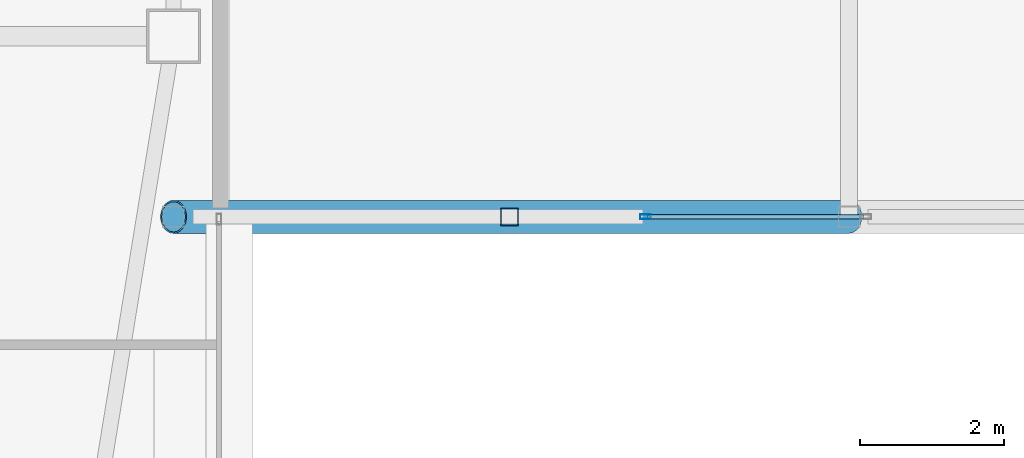
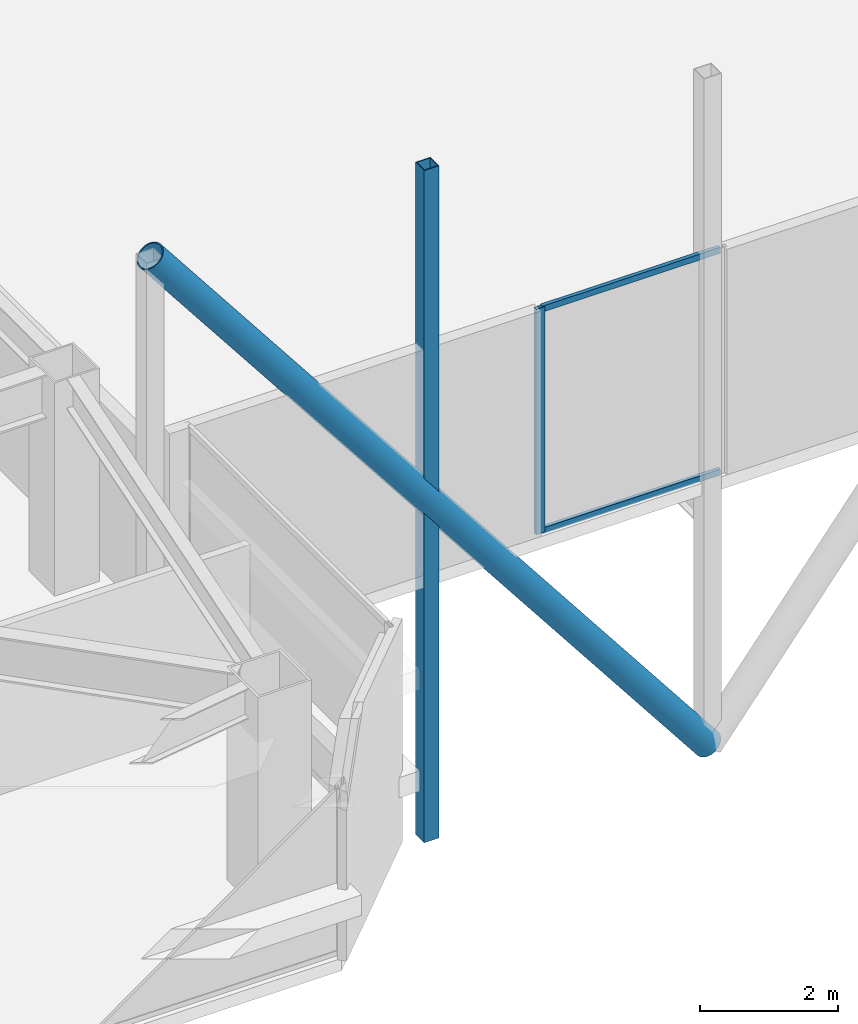
# One storey, part 14 of 53: 5 members, 1 element without a shape of its own.
"""IFC4 building model written with IfcOpenShell, lengths in metres."""

import ifcopenshell
import ifcopenshell.guid

model = None  # the IFC model being written
_history = None  # IfcOwnerHistory: only IFC2X3 demands one
_inside = {}  # id of a spatial element -> (the spatial element, [elements in it])
_under = {}  # id of a project, library or spatial element -> (it, [spatial elements below it])
_declared = {}  # id of a project -> (the project, [libraries it declares])
_typed = {}  # id of a type object -> (the type object, [elements of that type])
_made_of = {}  # id of a material, layer set ... -> (it, [elements and type objects made of it])


def new_model(schema):
    """Start an empty IFC model of exactly this schema.

    Asked for "IFC4X3", IfcOpenShell would pick the latest addendum, in which some entities
    have other attributes; the version numbers below select the first issue.
    IFC2X3 requires an IfcOwnerHistory on every rooted entity: one is made here for all.
    """
    global model, _history
    if schema == "IFC4X3":
        model = ifcopenshell.file(schema_version=(4, 3, 0, 0))
    else:
        model = ifcopenshell.file(schema=schema)
    _inside.clear()
    _under.clear()
    _declared.clear()
    _typed.clear()
    _made_of.clear()
    _history = None
    if model.schema == "IFC2X3":
        org = make("IfcOrganization", Name="unknown")
        user = make(
            "IfcPersonAndOrganization",
            ThePerson=make("IfcPerson", FamilyName="unknown"),
            TheOrganization=org,
        )
        app = make(
            "IfcApplication",
            ApplicationDeveloper=org,
            Version="unknown",
            ApplicationFullName="unknown",
            ApplicationIdentifier="unknown",
        )
        _history = make(
            "IfcOwnerHistory",
            OwningUser=user,
            OwningApplication=app,
            ChangeAction="ADDED",
            CreationDate=0,
        )
    return model


def make(cls, **values):
    """One entity of the class cls with the attributes given. An attribute that is None is left unset."""
    return model.create_entity(
        cls, **{name: value for name, value in values.items() if value is not None}
    )


def rooted(cls, **values):
    """An entity with a GlobalId (a new one), such as an element, a storey or a relation."""
    return make(cls, GlobalId=ifcopenshell.guid.new(), OwnerHistory=_history, **values)


def si_unit(unit_type, name, prefix=None):
    """IfcSIUnit, for example si_unit("LENGTHUNIT", "METRE", prefix="MILLI")."""
    return make("IfcSIUnit", UnitType=unit_type, Prefix=prefix, Name=name)


def assignment(units):
    """IfcUnitAssignment: the units of a project."""
    return None if units is None else make("IfcUnitAssignment", Units=units)


def point(xyz):
    """IfcCartesianPoint."""
    return None if xyz is None else make("IfcCartesianPoint", Coordinates=xyz)


def direction(xyz):
    """IfcDirection."""
    return None if xyz is None else make("IfcDirection", DirectionRatios=xyz)


def frame(location, z_axis=None, x_axis=None):
    """IfcAxis2Placement3D, a coordinate frame: its origin and axes. An axis left out is left unset."""
    return make(
        "IfcAxis2Placement3D",
        Location=point(location),
        Axis=direction(z_axis),
        RefDirection=direction(x_axis),
    )


def frame_2d(location, x_axis=None):
    """IfcAxis2Placement2D, a coordinate frame in the plane: its origin and x axis."""
    return make(
        "IfcAxis2Placement2D", Location=point(location), RefDirection=direction(x_axis)
    )


def origin():
    """The frame at (0, 0, 0) with its axes left unset."""
    return frame((0.0, 0.0, 0.0))


def origin_2d():
    """The frame at (0, 0) in the plane with its x axis left unset."""
    return frame_2d((0.0, 0.0))


def place(relative_to, where):
    """IfcLocalPlacement: puts the frame where relative to a parent placement (None: the world)."""
    return make(
        "IfcLocalPlacement", PlacementRelTo=relative_to, RelativePlacement=where
    )


def context(
    kind, dimensions, precision=None, world=None, true_north=None, identifier=None
):
    """IfcGeometricRepresentationContext, for example the 3D "Model" context."""
    return make(
        "IfcGeometricRepresentationContext",
        ContextIdentifier=identifier,
        ContextType=kind,
        CoordinateSpaceDimension=dimensions,
        Precision=precision,
        WorldCoordinateSystem=world,
        TrueNorth=true_north,
    )


def subcontext(parent, identifier, kind, view, scale=None):
    """IfcGeometricRepresentationSubContext, for example "Body" below "Model"."""
    return make(
        "IfcGeometricRepresentationSubContext",
        ContextIdentifier=identifier,
        ContextType=kind,
        ParentContext=parent,
        TargetScale=scale,
        TargetView=view,
    )


def project(units=None, contexts=None):
    """IfcProject with its units and contexts."""
    return rooted(
        "IfcProject",
        Name="project",
        RepresentationContexts=contexts,
        UnitsInContext=assignment(units),
    )


def spatial(cls, under=None, at=None, **own):
    """A site, building, storey or space (cls), placed at a placement, below another one or the project."""
    s = rooted(cls, ObjectPlacement=at, **own)
    if under is not None:
        _under.setdefault(under.id(), (under, []))[1].append(s)
    return s


def profile(cls, at=None, kind="AREA", **sizes):
    """A parametric profile (cls). Its sizes go by their IFC names, for example OverallWidth=200.0."""
    return make(cls, ProfileType=kind, Position=at, **sizes)


def hollow_rectangle(**sizes):
    """IfcRectangleHollowProfileDef."""
    return profile("IfcRectangleHollowProfileDef", **sizes)


def hollow_circle(**sizes):
    """IfcCircleHollowProfileDef."""
    return profile("IfcCircleHollowProfileDef", **sizes)


def extrude(swept, where, along, depth):
    """IfcExtrudedAreaSolid: the profile swept, set in the frame where, extruded along a direction by depth."""
    return make(
        "IfcExtrudedAreaSolid",
        SweptArea=swept,
        Position=where,
        ExtrudedDirection=direction(along),
        Depth=depth,
    )


def shape(context_of_items, identifier, shape_type, items):
    """IfcShapeRepresentation: the items that make up one representation, for example the "Body"."""
    return make(
        "IfcShapeRepresentation",
        ContextOfItems=context_of_items,
        RepresentationIdentifier=identifier,
        RepresentationType=shape_type,
        Items=items,
    )


def material(Name=None, Category=None):
    """IfcMaterial."""
    return make("IfcMaterial", Name=Name, Category=Category)


def material_profile(
    of_material, cross_section, Name=None, Category=None, Priority=None
):
    """IfcMaterialProfile: a cross section and its material."""
    return make(
        "IfcMaterialProfile",
        Name=Name,
        Material=of_material,
        Profile=cross_section,
        Priority=Priority,
        Category=Category,
    )


def profile_set(profiles, Name=None, composite=None):
    """IfcMaterialProfileSet."""
    return make(
        "IfcMaterialProfileSet",
        Name=Name,
        MaterialProfiles=profiles,
        CompositeProfile=composite,
    )


def made_of(thing, what):
    """Note that an element or type object is made of a material, layer set ...; save() writes the relation."""
    if what is not None:
        _made_of.setdefault(what.id(), (what, []))[1].append(thing)
    return thing


def type_object(cls, material=None, **own):
    """A type object (cls), such as IfcWallType, which elements share."""
    return made_of(rooted(cls, **own), material)


def element(
    cls,
    number,
    at=None,
    inside=None,
    cuts=None,
    type_object=None,
    material=None,
    context=None,
    identifier="Body",
    shape_type=None,
    held_by="IfcProductDefinitionShape",
    body=None,
    shapes=None,
    **own,
):
    """One element of the class cls, such as IfcWall. Its Tag is "e" and its number.

    at: its placement. inside: the storey or other place that contains it. cuts: it is an
    opening in that element (IfcRelVoidsElement). A single representation is given by context,
    identifier, shape_type and body (its items); several are given by shapes. held_by: the class
    of the entity that holds the representations. save() writes the other relations.
    """
    e = rooted(cls, Tag="e%d" % number, ObjectPlacement=at, **own)
    if body is not None:
        shapes = [shape(context, identifier, shape_type, body)]
    if shapes is not None:
        e.Representation = make(held_by, Representations=shapes)
    if inside is not None:
        _inside.setdefault(inside.id(), (inside, []))[1].append(e)
    if cuts is not None:
        rooted(
            "IfcRelVoidsElement", RelatingBuildingElement=cuts, RelatedOpeningElement=e
        )
    if type_object is not None:
        _typed.setdefault(type_object.id(), (type_object, []))[1].append(e)
    return made_of(e, material)


def aggregate(whole, parts):
    """IfcRelAggregates: a whole, such as a stair, and the parts it consists of."""
    return rooted("IfcRelAggregates", RelatingObject=whole, RelatedObjects=parts)


def save(model, path):
    """Write the relations noted so far, then the file.

    IfcRelAggregates (storeys below a building ...), IfcRelContainedInSpatialStructure (elements
    in a storey), IfcRelDefinesByType, IfcRelAssociatesMaterial and IfcRelDeclares: one each for
    every whole, place, type object, material and project.
    """
    for whole, parts in _under.values():
        aggregate(whole, parts)
    for where, things in _inside.values():
        rooted(
            "IfcRelContainedInSpatialStructure",
            RelatedElements=things,
            RelatingStructure=where,
        )
    for kind, things in _typed.values():
        rooted("IfcRelDefinesByType", RelatedObjects=things, RelatingType=kind)
    for what, things in _made_of.values():
        rooted("IfcRelAssociatesMaterial", RelatedObjects=things, RelatingMaterial=what)
    for by, libraries in _declared.values():
        rooted("IfcRelDeclares", RelatingContext=by, RelatedDefinitions=libraries)
    model.write(path)


model = new_model("IFC4")

# Units and contexts
model_context = context("Model", 3, precision=1e-05, world=origin(), true_north=direction((0.0, 1.0)))
body_context = subcontext(model_context, "Body", "Model", "MODEL_VIEW")
ifc_project = project(units=[si_unit("LENGTHUNIT", "METRE"), si_unit("AREAUNIT", "SQUARE_METRE"), si_unit("VOLUMEUNIT", "CUBIC_METRE"), si_unit("PLANEANGLEUNIT", "RADIAN"), si_unit("MASSUNIT", "GRAM", prefix="KILO")], contexts=[model_context])

# Site, building, storey
site_placement = place(None, origin())
site = spatial("IfcSite", under=ifc_project, at=site_placement, CompositionType="ELEMENT")
building_placement = place(site_placement, origin())
building = spatial("IfcBuilding", under=site, at=building_placement, Name="Tashvorn Skyway Center", CompositionType="ELEMENT")
storey_placement = place(building_placement, frame((0.0, 0.0, 255.39990234375)))
storey = spatial("IfcBuildingStorey", under=building, at=storey_placement, Name="L69", CompositionType="ELEMENT", Elevation=255.39990234375)

# Curtain wall, members
ifc_material_1 = material(Name="Thermally broken bronze-anodized aluminium 6063-T6", Category="aluminium")
curtain_wall_type = type_object("IfcCurtainWallType", Name="CW-CW-SKY", PredefinedType="NOTDEFINED", material=ifc_material_1)
curtain_wall_placement = place(storey_placement, origin())
curtain_wall = element("IfcCurtainWall", 1, at=curtain_wall_placement, inside=storey, type_object=curtain_wall_type, Name="Sky-Park L69 Bridge South Curtain Wall Glazing Group 2", PredefinedType="NOTDEFINED")
ifc_material_profile_1 = material_profile(ifc_material_1, hollow_rectangle(XDim=0.06494140625, YDim=0.14990234375, WallThickness=0.00390625, at=origin_2d()), Name="ALU-MULL-65x150")
ifc_profile_set_1 = profile_set([ifc_material_profile_1], Name="Thermally broken bronze-anodized aluminium 6063-T6")
member_type_1 = type_object("IfcMemberType", Name="CWM-CW-SKY", PredefinedType="MULLION", material=ifc_profile_set_1)
member_1_placement = place(storey_placement, frame((63.58251953125, 24.10009765625, 0.0), z_axis=(0.0, 0.0, 1.0), x_axis=(0.0, -1.0, 0.0)))
member_1 = element("IfcMember", 2, at=member_1_placement, type_object=member_type_1, Name="CW-SKY mullion 2", PredefinedType="MULLION", context=body_context, shape_type="SweptSolid", body=[
    extrude(hollow_rectangle(XDim=0.06494140625, YDim=0.14990234375, WallThickness=0.00390625, at=origin_2d()), origin(), (0.0, 0.0, 1.0), 4.0),
])
ifc_material_profile_2 = material_profile(ifc_material_1, hollow_rectangle(XDim=0.06494140625, YDim=0.10498046875, WallThickness=0.00390625, at=origin_2d()), Name="ALU-TRAN-65x105")
ifc_profile_set_2 = profile_set([ifc_material_profile_2], Name="Thermally broken bronze-anodized aluminium 6063-T6")
member_type_2 = type_object("IfcMemberType", Name="CWT-CW-SKY", PredefinedType="USERDEFINED", material=ifc_profile_set_2)
member_2_placement = place(storey_placement, frame((66.60009765625, 24.10009765625, 0.03271484375), z_axis=(-1.0, 0.0, 0.0), x_axis=(0.0, -1.0, 0.0)))
member_2 = element("IfcMember", 3, at=member_2_placement, type_object=member_type_2, Name="CW-SKY transom 1.1", ObjectType="TRANSOM", PredefinedType="USERDEFINED", context=body_context, shape_type="SweptSolid", body=[
    extrude(hollow_rectangle(XDim=0.06494140625, YDim=0.10498046875, WallThickness=0.00390625, at=origin_2d()), origin(), (0.0, 0.0, 1.0), 2.985107421875),
])
member_3_placement = place(storey_placement, frame((66.60009765625, 24.10009765625, 3.967529296875), z_axis=(-1.0, 0.0, 0.0), x_axis=(0.0, -1.0, 0.0)))
member_3 = element("IfcMember", 4, at=member_3_placement, type_object=member_type_2, Name="CW-SKY transom 1.2", ObjectType="TRANSOM", PredefinedType="USERDEFINED", context=body_context, shape_type="SweptSolid", body=[
    extrude(hollow_rectangle(XDim=0.06494140625, YDim=0.10498046875, WallThickness=0.00390625, at=origin_2d()), origin(), (0.0, 0.0, 1.0), 2.985107421875),
])
aggregate(curtain_wall, [member_1, member_2, member_3])

# Members
ifc_material_2 = material(Name="Steel ASTM A572 Grade 50", Category="steel")
ifc_material_profile_3 = material_profile(ifc_material_2, hollow_circle(Radius=0.228515625, WallThickness=0.02001953125, at=origin_2d()), Name="CHS457x20")
ifc_profile_set_3 = profile_set([ifc_material_profile_3], Name="Steel ASTM A572 Grade 50")
member_type_3 = type_object("IfcMemberType", Name="MEM-SP-DIA-457", PredefinedType="BRACE", material=ifc_profile_set_3)
member_4_placement = place(storey_placement, frame((57.050048828125, 24.10009765625, 7.194580078125), z_axis=(0.617176519571, 0.0, -0.786824722343), x_axis=(0.0, 1.0, 0.0)))
element("IfcMember", 5, at=member_4_placement, inside=storey, type_object=member_type_3, Name="Sky-Park Truss 1 Web Diagonal 06", PredefinedType="BRACE", context=body_context, shape_type="SweptSolid", body=[
    extrude(hollow_circle(Radius=0.228515625, WallThickness=0.02001953125, at=origin_2d()), origin(), (0.0, 0.0, 1.0), 15.1494140625),
])
ifc_material_profile_4 = material_profile(ifc_material_2, hollow_rectangle(XDim=0.25, YDim=0.25, WallThickness=0.012451171875, at=origin_2d()), Name="HSS250x250x12.5")
ifc_profile_set_4 = profile_set([ifc_material_profile_4], Name="Steel ASTM A572 Grade 50")
member_type_4 = type_object("IfcMemberType", Name="MEM-SP-PST-250", PredefinedType="POST", material=ifc_profile_set_4)
member_5_placement = place(storey_placement, frame((61.699951171875, 24.10009765625, -4.725341796875), z_axis=(0.0, 0.0, 1.0), x_axis=(1.0, 0.0, 0.0)))
element("IfcMember", 6, at=member_5_placement, inside=storey, type_object=member_type_4, Name="Sky-Park Truss 1 Secondary Web Post 3", PredefinedType="POST", context=body_context, shape_type="SweptSolid", body=[
    extrude(hollow_rectangle(XDim=0.25, YDim=0.25, WallThickness=0.012451171875, at=origin_2d()), origin(), (0.0, 0.0, 1.0), 11.919921875),
])

save(model, "model.ifc")
